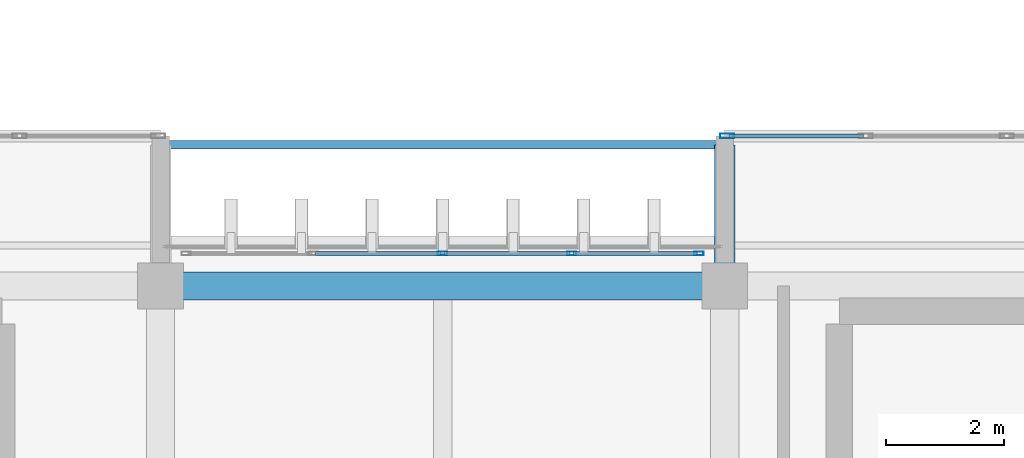
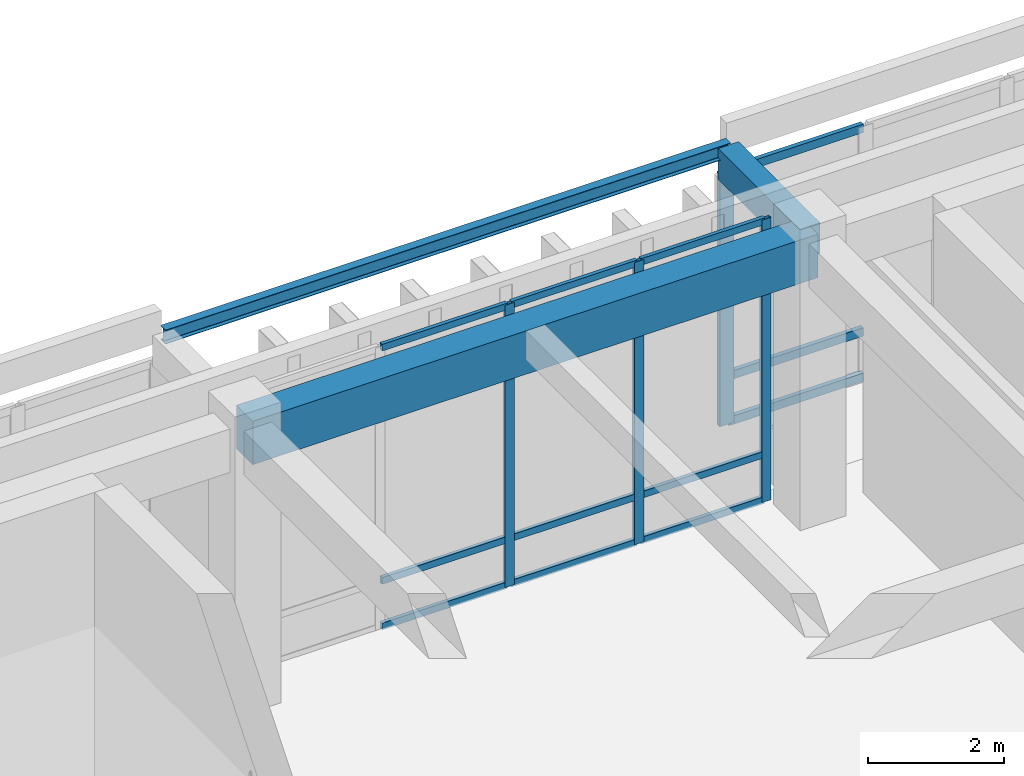
# One storey, part 76 of 134: 16 members, 3 beams, 2 elements without a shape of their own.
"""IFC4 building model written with IfcOpenShell, lengths in metres."""

import ifcopenshell
import ifcopenshell.guid

model = None  # the IFC model being written
_history = None  # IfcOwnerHistory: only IFC2X3 demands one
_inside = {}  # id of a spatial element -> (the spatial element, [elements in it])
_under = {}  # id of a project, library or spatial element -> (it, [spatial elements below it])
_declared = {}  # id of a project -> (the project, [libraries it declares])
_typed = {}  # id of a type object -> (the type object, [elements of that type])
_made_of = {}  # id of a material, layer set ... -> (it, [elements and type objects made of it])


def new_model(schema):
    """Start an empty IFC model of exactly this schema.

    Asked for "IFC4X3", IfcOpenShell would pick the latest addendum, in which some entities
    have other attributes; the version numbers below select the first issue.
    IFC2X3 requires an IfcOwnerHistory on every rooted entity: one is made here for all.
    """
    global model, _history
    if schema == "IFC4X3":
        model = ifcopenshell.file(schema_version=(4, 3, 0, 0))
    else:
        model = ifcopenshell.file(schema=schema)
    _inside.clear()
    _under.clear()
    _declared.clear()
    _typed.clear()
    _made_of.clear()
    _history = None
    if model.schema == "IFC2X3":
        org = make("IfcOrganization", Name="unknown")
        user = make(
            "IfcPersonAndOrganization",
            ThePerson=make("IfcPerson", FamilyName="unknown"),
            TheOrganization=org,
        )
        app = make(
            "IfcApplication",
            ApplicationDeveloper=org,
            Version="unknown",
            ApplicationFullName="unknown",
            ApplicationIdentifier="unknown",
        )
        _history = make(
            "IfcOwnerHistory",
            OwningUser=user,
            OwningApplication=app,
            ChangeAction="ADDED",
            CreationDate=0,
        )
    return model


def make(cls, **values):
    """One entity of the class cls with the attributes given. An attribute that is None is left unset."""
    return model.create_entity(
        cls, **{name: value for name, value in values.items() if value is not None}
    )


def rooted(cls, **values):
    """An entity with a GlobalId (a new one), such as an element, a storey or a relation."""
    return make(cls, GlobalId=ifcopenshell.guid.new(), OwnerHistory=_history, **values)


def si_unit(unit_type, name, prefix=None):
    """IfcSIUnit, for example si_unit("LENGTHUNIT", "METRE", prefix="MILLI")."""
    return make("IfcSIUnit", UnitType=unit_type, Prefix=prefix, Name=name)


def assignment(units):
    """IfcUnitAssignment: the units of a project."""
    return None if units is None else make("IfcUnitAssignment", Units=units)


def point(xyz):
    """IfcCartesianPoint."""
    return None if xyz is None else make("IfcCartesianPoint", Coordinates=xyz)


def direction(xyz):
    """IfcDirection."""
    return None if xyz is None else make("IfcDirection", DirectionRatios=xyz)


def frame(location, z_axis=None, x_axis=None):
    """IfcAxis2Placement3D, a coordinate frame: its origin and axes. An axis left out is left unset."""
    return make(
        "IfcAxis2Placement3D",
        Location=point(location),
        Axis=direction(z_axis),
        RefDirection=direction(x_axis),
    )


def frame_2d(location, x_axis=None):
    """IfcAxis2Placement2D, a coordinate frame in the plane: its origin and x axis."""
    return make(
        "IfcAxis2Placement2D", Location=point(location), RefDirection=direction(x_axis)
    )


def origin():
    """The frame at (0, 0, 0) with its axes left unset."""
    return frame((0.0, 0.0, 0.0))


def origin_2d():
    """The frame at (0, 0) in the plane with its x axis left unset."""
    return frame_2d((0.0, 0.0))


def place(relative_to, where):
    """IfcLocalPlacement: puts the frame where relative to a parent placement (None: the world)."""
    return make(
        "IfcLocalPlacement", PlacementRelTo=relative_to, RelativePlacement=where
    )


def context(
    kind, dimensions, precision=None, world=None, true_north=None, identifier=None
):
    """IfcGeometricRepresentationContext, for example the 3D "Model" context."""
    return make(
        "IfcGeometricRepresentationContext",
        ContextIdentifier=identifier,
        ContextType=kind,
        CoordinateSpaceDimension=dimensions,
        Precision=precision,
        WorldCoordinateSystem=world,
        TrueNorth=true_north,
    )


def subcontext(parent, identifier, kind, view, scale=None):
    """IfcGeometricRepresentationSubContext, for example "Body" below "Model"."""
    return make(
        "IfcGeometricRepresentationSubContext",
        ContextIdentifier=identifier,
        ContextType=kind,
        ParentContext=parent,
        TargetScale=scale,
        TargetView=view,
    )


def project(units=None, contexts=None):
    """IfcProject with its units and contexts."""
    return rooted(
        "IfcProject",
        Name="project",
        RepresentationContexts=contexts,
        UnitsInContext=assignment(units),
    )


def spatial(cls, under=None, at=None, **own):
    """A site, building, storey or space (cls), placed at a placement, below another one or the project."""
    s = rooted(cls, ObjectPlacement=at, **own)
    if under is not None:
        _under.setdefault(under.id(), (under, []))[1].append(s)
    return s


def profile(cls, at=None, kind="AREA", **sizes):
    """A parametric profile (cls). Its sizes go by their IFC names, for example OverallWidth=200.0."""
    return make(cls, ProfileType=kind, Position=at, **sizes)


def rectangle(**sizes):
    """IfcRectangleProfileDef."""
    return profile("IfcRectangleProfileDef", **sizes)


def hollow_rectangle(**sizes):
    """IfcRectangleHollowProfileDef."""
    return profile("IfcRectangleHollowProfileDef", **sizes)


def i_section(**sizes):
    """IfcIShapeProfileDef."""
    return profile("IfcIShapeProfileDef", **sizes)


def extrude(swept, where, along, depth):
    """IfcExtrudedAreaSolid: the profile swept, set in the frame where, extruded along a direction by depth."""
    return make(
        "IfcExtrudedAreaSolid",
        SweptArea=swept,
        Position=where,
        ExtrudedDirection=direction(along),
        Depth=depth,
    )


def shape(context_of_items, identifier, shape_type, items):
    """IfcShapeRepresentation: the items that make up one representation, for example the "Body"."""
    return make(
        "IfcShapeRepresentation",
        ContextOfItems=context_of_items,
        RepresentationIdentifier=identifier,
        RepresentationType=shape_type,
        Items=items,
    )


def material(Name=None, Category=None):
    """IfcMaterial."""
    return make("IfcMaterial", Name=Name, Category=Category)


def layer(
    of_material, thickness, ventilated=None, Name=None, Category=None, Priority=None
):
    """IfcMaterialLayer: one layer of a wall or slab, of a material (None: an air gap)."""
    return make(
        "IfcMaterialLayer",
        Material=of_material,
        LayerThickness=thickness,
        IsVentilated=ventilated,
        Name=Name,
        Category=Category,
        Priority=Priority,
    )


def layer_set(layers, Name=None):
    """IfcMaterialLayerSet."""
    return make("IfcMaterialLayerSet", MaterialLayers=layers, LayerSetName=Name)


def material_profile(
    of_material, cross_section, Name=None, Category=None, Priority=None
):
    """IfcMaterialProfile: a cross section and its material."""
    return make(
        "IfcMaterialProfile",
        Name=Name,
        Material=of_material,
        Profile=cross_section,
        Priority=Priority,
        Category=Category,
    )


def profile_set(profiles, Name=None, composite=None):
    """IfcMaterialProfileSet."""
    return make(
        "IfcMaterialProfileSet",
        Name=Name,
        MaterialProfiles=profiles,
        CompositeProfile=composite,
    )


def made_of(thing, what):
    """Note that an element or type object is made of a material, layer set ...; save() writes the relation."""
    if what is not None:
        _made_of.setdefault(what.id(), (what, []))[1].append(thing)
    return thing


def type_object(cls, material=None, **own):
    """A type object (cls), such as IfcWallType, which elements share."""
    return made_of(rooted(cls, **own), material)


def element(
    cls,
    number,
    at=None,
    inside=None,
    cuts=None,
    type_object=None,
    material=None,
    context=None,
    identifier="Body",
    shape_type=None,
    held_by="IfcProductDefinitionShape",
    body=None,
    shapes=None,
    **own,
):
    """One element of the class cls, such as IfcWall. Its Tag is "e" and its number.

    at: its placement. inside: the storey or other place that contains it. cuts: it is an
    opening in that element (IfcRelVoidsElement). A single representation is given by context,
    identifier, shape_type and body (its items); several are given by shapes. held_by: the class
    of the entity that holds the representations. save() writes the other relations.
    """
    e = rooted(cls, Tag="e%d" % number, ObjectPlacement=at, **own)
    if body is not None:
        shapes = [shape(context, identifier, shape_type, body)]
    if shapes is not None:
        e.Representation = make(held_by, Representations=shapes)
    if inside is not None:
        _inside.setdefault(inside.id(), (inside, []))[1].append(e)
    if cuts is not None:
        rooted(
            "IfcRelVoidsElement", RelatingBuildingElement=cuts, RelatedOpeningElement=e
        )
    if type_object is not None:
        _typed.setdefault(type_object.id(), (type_object, []))[1].append(e)
    return made_of(e, material)


def aggregate(whole, parts):
    """IfcRelAggregates: a whole, such as a stair, and the parts it consists of."""
    return rooted("IfcRelAggregates", RelatingObject=whole, RelatedObjects=parts)


def save(model, path):
    """Write the relations noted so far, then the file.

    IfcRelAggregates (storeys below a building ...), IfcRelContainedInSpatialStructure (elements
    in a storey), IfcRelDefinesByType, IfcRelAssociatesMaterial and IfcRelDeclares: one each for
    every whole, place, type object, material and project.
    """
    for whole, parts in _under.values():
        aggregate(whole, parts)
    for where, things in _inside.values():
        rooted(
            "IfcRelContainedInSpatialStructure",
            RelatedElements=things,
            RelatingStructure=where,
        )
    for kind, things in _typed.values():
        rooted("IfcRelDefinesByType", RelatedObjects=things, RelatingType=kind)
    for what, things in _made_of.values():
        rooted("IfcRelAssociatesMaterial", RelatedObjects=things, RelatingMaterial=what)
    for by, libraries in _declared.values():
        rooted("IfcRelDeclares", RelatingContext=by, RelatedDefinitions=libraries)
    model.write(path)


model = new_model("IFC4")

# Units and contexts
model_context = context("Model", 3, precision=1e-05, world=origin(), true_north=direction((0.0, 1.0)))
body_context = subcontext(model_context, "Body", "Model", "MODEL_VIEW")
ifc_project = project(units=[si_unit("LENGTHUNIT", "METRE"), si_unit("AREAUNIT", "SQUARE_METRE"), si_unit("VOLUMEUNIT", "CUBIC_METRE"), si_unit("PLANEANGLEUNIT", "RADIAN"), si_unit("MASSUNIT", "GRAM", prefix="KILO")], contexts=[model_context])

# Site, building, storey
site_placement = place(None, origin())
site = spatial("IfcSite", under=ifc_project, at=site_placement, CompositionType="ELEMENT")
building_placement = place(site_placement, origin())
building = spatial("IfcBuilding", under=site, at=building_placement, Name="Nakhvara Creek Congress Hotel", CompositionType="ELEMENT")
storey_placement = place(building_placement, frame((0.0, 0.0, 6.0)))
storey = spatial("IfcBuildingStorey", under=building, at=storey_placement, Name="L01", CompositionType="ELEMENT", Elevation=6.0)

# Beams
ifc_material_1 = material(Name="Concrete C40/50", Category="concrete")
ifc_material_profile_1 = material_profile(ifc_material_1, rectangle(XDim=0.35009765625, YDim=0.550048828125, at=origin_2d()), Name="RC-BM 350x550", Category="LoadBearing")
ifc_profile_set_1 = profile_set([ifc_material_profile_1], Name="Concrete C40/50")
beam_type_1 = type_object("IfcBeamType", Name="BM-CANT-BOX", PredefinedType="BEAM", material=ifc_profile_set_1)
beam_1_placement = place(storey_placement, frame((134.39990234375, 95.25, 4.824951171875), z_axis=(0.0, 1.0, 0.0), x_axis=(-1.0, 0.0, 0.0)))
element("IfcBeam", 1, at=beam_1_placement, inside=storey, type_object=beam_type_1, Name="Foyer Box Outrigger Beam PBOX-L02-N3-134", PredefinedType="BEAM", context=body_context, shape_type="SweptSolid", body=[
    extrude(rectangle(XDim=0.35009765625, YDim=0.550048828125, at=origin_2d()), origin(), (0.0, 0.0, 1.0), 2.39990234375),
])
ifc_material_profile_2 = material_profile(ifc_material_1, rectangle(XDim=0.47998046875, YDim=0.780029296875, at=origin_2d()), Name="RC-BM 480x780", Category="LoadBearing")
ifc_profile_set_2 = profile_set([ifc_material_profile_2], Name="Concrete C40/50")
beam_type_2 = type_object("IfcBeamType", Name="BM-RC-480X780", PredefinedType="BEAM", material=ifc_profile_set_2)
beam_2_placement = place(storey_placement, frame((124.800048828125, 95.25, 4.7099609375), z_axis=(1.0, 0.0, 0.0), x_axis=(0.0, 1.0, 0.0)))
element("IfcBeam", 2, at=beam_2_placement, inside=storey, type_object=beam_type_2, Name="Beam B13-L01-1237", PredefinedType="BEAM", context=body_context, shape_type="SweptSolid", body=[
    extrude(rectangle(XDim=0.47998046875, YDim=0.780029296875, at=origin_2d()), origin(), (0.0, 0.0, 1.0), 9.599853515625),
])
ifc_material_2 = material(Name="Steel S355J2", Category="steel")
ifc_material_profile_3 = material_profile(ifc_material_2, i_section(OverallWidth=0.14599609375, OverallDepth=0.25146484375, WebThickness=0.006103515625, FlangeThickness=0.008544921875, FilletRadius=0.007568359375, at=origin_2d()), Name="UB 254x146x31", Category="LoadBearing")
ifc_profile_set_3 = profile_set([ifc_material_profile_3], Name="Steel S355J2")
beam_type_3 = type_object("IfcBeamType", Name="BM-ST-UB254", PredefinedType="SPANDREL", material=ifc_profile_set_3)
beam_3_placement = place(storey_placement, frame((124.800048828125, 97.64990234375, 5.05419921875), z_axis=(1.0, 0.0, 0.0), x_axis=(0.0, 1.0, 0.0)))
element("IfcBeam", 3, at=beam_3_placement, inside=storey, type_object=beam_type_3, Name="Foyer Box Edge Spandrel PBOX-L02-N3", PredefinedType="SPANDREL", context=body_context, shape_type="SweptSolid", body=[
    extrude(i_section(OverallWidth=0.14599609375, OverallDepth=0.25146484375, WebThickness=0.006103515625, FlangeThickness=0.008544921875, FilletRadius=0.007568359375, at=origin_2d()), origin(), (0.0, 0.0, 1.0), 9.599853515625),
])

# Curtain wall, members
ifc_material_3 = material(Name="Bronze-anodised aluminium AW-6063-T6 and double-silver low-E glass", Category="aluminium")
ifc_layer_1 = layer(ifc_material_3, 0.199951171875)
ifc_layer_set_1 = layer_set([ifc_layer_1], Name="Bronze-anodised aluminium AW-6063-T6 and double-silver low-E glass")
curtain_wall_type_1 = type_object("IfcCurtainWallType", Name="CW-POD-STICK", PredefinedType="NOTDEFINED", material=ifc_layer_set_1)
curtain_wall_1_placement = place(storey_placement, origin())
curtain_wall_1 = element("IfcCurtainWall", 4, at=curtain_wall_1_placement, inside=storey, type_object=curtain_wall_type_1, Name="Curtain Wall CW072", PredefinedType="NOTDEFINED")
ifc_material_4 = material(Name="Bronze-anodised aluminium AW-6063-T6", Category="aluminium")
ifc_material_profile_4 = material_profile(ifc_material_4, hollow_rectangle(XDim=0.06494140625, YDim=0.159912109375, WallThickness=0.00390625, at=origin_2d()), Name="ALU-MULL 65x160x4", Category="LoadBearing")
ifc_profile_set_4 = profile_set([ifc_material_profile_4], Name="Bronze-anodised aluminium AW-6063-T6")
member_type_1 = type_object("IfcMemberType", Name="CW-MULL-160", PredefinedType="MULLION", material=ifc_profile_set_4)
member_1_placement = place(storey_placement, frame((129.60009765625, 95.800048828125, 0.0), z_axis=(0.0, 0.0, 1.0), x_axis=(0.0, 1.0, 0.0)))
member_1 = element("IfcMember", 5, at=member_1_placement, type_object=member_type_1, Name="CW072 mullion 3", PredefinedType="MULLION", context=body_context, shape_type="SweptSolid", body=[
    extrude(hollow_rectangle(XDim=0.06494140625, YDim=0.159912109375, WallThickness=0.00390625, at=origin_2d()), origin(), (0.0, 0.0, 1.0), 5.070068359375),
])
member_2_placement = place(storey_placement, frame((131.797607421875, 95.800048828125, 0.0), z_axis=(0.0, 0.0, 1.0), x_axis=(0.0, 1.0, 0.0)))
member_2 = element("IfcMember", 6, at=member_2_placement, type_object=member_type_1, Name="CW072 mullion 4", PredefinedType="MULLION", context=body_context, shape_type="SweptSolid", body=[
    extrude(hollow_rectangle(XDim=0.06494140625, YDim=0.159912109375, WallThickness=0.00390625, at=origin_2d()), origin(), (0.0, 0.0, 1.0), 5.070068359375),
])
member_3_placement = place(storey_placement, frame((133.96240234375, 95.800048828125, 0.0), z_axis=(0.0, 0.0, 1.0), x_axis=(0.0, 1.0, 0.0)))
member_3 = element("IfcMember", 7, at=member_3_placement, type_object=member_type_1, Name="CW072 mullion 5", PredefinedType="MULLION", context=body_context, shape_type="SweptSolid", body=[
    extrude(hollow_rectangle(XDim=0.06494140625, YDim=0.159912109375, WallThickness=0.00390625, at=origin_2d()), origin(), (0.0, 0.0, 1.0), 5.070068359375),
])

# Curtain wall, member
ifc_layer_2 = layer(ifc_material_3, 0.219970703125)
ifc_layer_set_2 = layer_set([ifc_layer_2], Name="Bronze-anodised aluminium AW-6063-T6 and double-silver low-E glass")
curtain_wall_type_2 = type_object("IfcCurtainWallType", Name="CW-BOX-PROJ", PredefinedType="USERDEFINED", material=ifc_layer_set_2)
curtain_wall_2_placement = place(storey_placement, origin())
curtain_wall_2 = element("IfcCurtainWall", 8, at=curtain_wall_2_placement, inside=storey, type_object=curtain_wall_type_2, Name="Curtain Wall CW067", ObjectType="UNITISED", PredefinedType="USERDEFINED")
ifc_material_profile_5 = material_profile(ifc_material_4, hollow_rectangle(XDim=0.080078125, YDim=0.239990234375, WallThickness=0.0048828125, at=origin_2d()), Name="ALU-MULL 80x240x5", Category="LoadBearing")
ifc_profile_set_5 = profile_set([ifc_material_profile_5], Name="Bronze-anodised aluminium AW-6063-T6")
member_type_2 = type_object("IfcMemberType", Name="CW-MULL-240", PredefinedType="MULLION", material=ifc_profile_set_5)
member_4_placement = place(storey_placement, frame((134.43994140625, 97.800048828125, 0.0), z_axis=(0.0, 0.0, 1.0), x_axis=(0.0, 1.0, 0.0)))
member_4 = element("IfcMember", 9, at=member_4_placement, type_object=member_type_2, Name="CW067 mullion 1", PredefinedType="MULLION", context=body_context, shape_type="SweptSolid", body=[
    extrude(hollow_rectangle(XDim=0.080078125, YDim=0.239990234375, WallThickness=0.0048828125, at=origin_2d()), origin(), (0.0, 0.0, 1.0), 4.5419921875),
])

# Member
ifc_material_profile_6 = material_profile(ifc_material_4, hollow_rectangle(XDim=0.06494140625, YDim=0.1201171875, WallThickness=0.00390625, at=origin_2d()), Name="ALU-TRAN 65x120x4", Category="LoadBearing")
ifc_profile_set_6 = profile_set([ifc_material_profile_6], Name="Bronze-anodised aluminium AW-6063-T6")
member_type_3 = type_object("IfcMemberType", Name="CW-TRAN-120", PredefinedType="USERDEFINED", material=ifc_profile_set_6)
member_5_placement = place(storey_placement, frame((127.43505859375, 95.800048828125, 0.032470703125), z_axis=(1.0, 0.0, 0.0), x_axis=(0.0, 1.0, 0.0)))
member_5 = element("IfcMember", 10, at=member_5_placement, type_object=member_type_3, Name="CW072 transom 2.1", ObjectType="TRANSOM", PredefinedType="USERDEFINED", context=body_context, shape_type="SweptSolid", body=[
    extrude(hollow_rectangle(XDim=0.06494140625, YDim=0.1201171875, WallThickness=0.00390625, at=origin_2d()), origin(), (0.0, 0.0, 1.0), 2.13232421875),
])

member_6_placement = place(storey_placement, frame((127.43505859375, 95.800048828125, 0.85009765625), z_axis=(1.0, 0.0, 0.0), x_axis=(0.0, 1.0, 0.0)))
member_6 = element("IfcMember", 11, at=member_6_placement, type_object=member_type_3, Name="CW072 transom 2.2", ObjectType="TRANSOM", PredefinedType="USERDEFINED", context=body_context, shape_type="SweptSolid", body=[
    extrude(hollow_rectangle(XDim=0.06494140625, YDim=0.1201171875, WallThickness=0.00390625, at=origin_2d()), origin(), (0.0, 0.0, 1.0), 2.13232421875),
])

member_7_placement = place(storey_placement, frame((127.43505859375, 95.800048828125, 5.03759765625), z_axis=(1.0, 0.0, 0.0), x_axis=(0.0, 1.0, 0.0)))
member_7 = element("IfcMember", 12, at=member_7_placement, type_object=member_type_3, Name="CW072 transom 2.3", ObjectType="TRANSOM", PredefinedType="USERDEFINED", context=body_context, shape_type="SweptSolid", body=[
    extrude(hollow_rectangle(XDim=0.06494140625, YDim=0.1201171875, WallThickness=0.00390625, at=origin_2d()), origin(), (0.0, 0.0, 1.0), 2.13232421875),
])

member_8_placement = place(storey_placement, frame((129.632568359375, 95.800048828125, 0.032470703125), z_axis=(1.0, 0.0, 0.0), x_axis=(0.0, 1.0, 0.0)))
member_8 = element("IfcMember", 13, at=member_8_placement, type_object=member_type_3, Name="CW072 transom 3.1", ObjectType="TRANSOM", PredefinedType="USERDEFINED", context=body_context, shape_type="SweptSolid", body=[
    extrude(hollow_rectangle(XDim=0.06494140625, YDim=0.1201171875, WallThickness=0.00390625, at=origin_2d()), origin(), (0.0, 0.0, 1.0), 2.13232421875),
])

member_9_placement = place(storey_placement, frame((129.632568359375, 95.800048828125, 0.85009765625), z_axis=(1.0, 0.0, 0.0), x_axis=(0.0, 1.0, 0.0)))
member_9 = element("IfcMember", 14, at=member_9_placement, type_object=member_type_3, Name="CW072 transom 3.2", ObjectType="TRANSOM", PredefinedType="USERDEFINED", context=body_context, shape_type="SweptSolid", body=[
    extrude(hollow_rectangle(XDim=0.06494140625, YDim=0.1201171875, WallThickness=0.00390625, at=origin_2d()), origin(), (0.0, 0.0, 1.0), 2.13232421875),
])

member_10_placement = place(storey_placement, frame((129.632568359375, 95.800048828125, 5.03759765625), z_axis=(1.0, 0.0, 0.0), x_axis=(0.0, 1.0, 0.0)))
member_10 = element("IfcMember", 15, at=member_10_placement, type_object=member_type_3, Name="CW072 transom 3.3", ObjectType="TRANSOM", PredefinedType="USERDEFINED", context=body_context, shape_type="SweptSolid", body=[
    extrude(hollow_rectangle(XDim=0.06494140625, YDim=0.1201171875, WallThickness=0.00390625, at=origin_2d()), origin(), (0.0, 0.0, 1.0), 2.13232421875),
])

member_11_placement = place(storey_placement, frame((131.830078125, 95.800048828125, 0.032470703125), z_axis=(1.0, 0.0, 0.0), x_axis=(0.0, 1.0, 0.0)))
member_11 = element("IfcMember", 16, at=member_11_placement, type_object=member_type_3, Name="CW072 transom 4.1", ObjectType="TRANSOM", PredefinedType="USERDEFINED", context=body_context, shape_type="SweptSolid", body=[
    extrude(hollow_rectangle(XDim=0.06494140625, YDim=0.1201171875, WallThickness=0.00390625, at=origin_2d()), origin(), (0.0, 0.0, 1.0), 2.099853515625),
])

member_12_placement = place(storey_placement, frame((131.830078125, 95.800048828125, 0.85009765625), z_axis=(1.0, 0.0, 0.0), x_axis=(0.0, 1.0, 0.0)))
member_12 = element("IfcMember", 17, at=member_12_placement, type_object=member_type_3, Name="CW072 transom 4.2", ObjectType="TRANSOM", PredefinedType="USERDEFINED", context=body_context, shape_type="SweptSolid", body=[
    extrude(hollow_rectangle(XDim=0.06494140625, YDim=0.1201171875, WallThickness=0.00390625, at=origin_2d()), origin(), (0.0, 0.0, 1.0), 2.099853515625),
])

member_13_placement = place(storey_placement, frame((131.830078125, 95.800048828125, 5.03759765625), z_axis=(1.0, 0.0, 0.0), x_axis=(0.0, 1.0, 0.0)))
member_13 = element("IfcMember", 18, at=member_13_placement, type_object=member_type_3, Name="CW072 transom 4.3", ObjectType="TRANSOM", PredefinedType="USERDEFINED", context=body_context, shape_type="SweptSolid", body=[
    extrude(hollow_rectangle(XDim=0.06494140625, YDim=0.1201171875, WallThickness=0.00390625, at=origin_2d()), origin(), (0.0, 0.0, 1.0), 2.099853515625),
])

aggregate(curtain_wall_1, [member_1, member_2, member_3, member_5, member_6, member_7, member_8, member_9, member_10, member_11, member_12, member_13])

ifc_material_profile_7 = material_profile(ifc_material_4, hollow_rectangle(XDim=0.074951171875, YDim=0.14990234375, WallThickness=0.00390625, at=origin_2d()), Name="ALU-TRAN 75x150x4", Category="LoadBearing")
ifc_profile_set_7 = profile_set([ifc_material_profile_7], Name="Bronze-anodised aluminium AW-6063-T6")
member_type_4 = type_object("IfcMemberType", Name="CW-TRAN-150", PredefinedType="USERDEFINED", material=ifc_profile_set_7)
member_14_placement = place(storey_placement, frame((134.47998046875, 97.800048828125, 0.03759765625), z_axis=(1.0, 0.0, 0.0), x_axis=(0.0, 1.0, 0.0)))
member_14 = element("IfcMember", 19, at=member_14_placement, type_object=member_type_4, Name="CW067 transom 1.1", ObjectType="TRANSOM", PredefinedType="USERDEFINED", context=body_context, shape_type="SweptSolid", body=[
    extrude(hollow_rectangle(XDim=0.074951171875, YDim=0.14990234375, WallThickness=0.00390625, at=origin_2d()), origin(), (0.0, 0.0, 1.0), 2.280029296875),
])

member_15_placement = place(storey_placement, frame((134.47998046875, 97.800048828125, 0.85009765625), z_axis=(1.0, 0.0, 0.0), x_axis=(0.0, 1.0, 0.0)))
member_15 = element("IfcMember", 20, at=member_15_placement, type_object=member_type_4, Name="CW067 transom 1.2", ObjectType="TRANSOM", PredefinedType="USERDEFINED", context=body_context, shape_type="SweptSolid", body=[
    extrude(hollow_rectangle(XDim=0.074951171875, YDim=0.14990234375, WallThickness=0.00390625, at=origin_2d()), origin(), (0.0, 0.0, 1.0), 2.280029296875),
])

member_16_placement = place(storey_placement, frame((134.47998046875, 97.800048828125, 4.50439453125), z_axis=(1.0, 0.0, 0.0), x_axis=(0.0, 1.0, 0.0)))
member_16 = element("IfcMember", 21, at=member_16_placement, type_object=member_type_4, Name="CW067 transom 1.3", ObjectType="TRANSOM", PredefinedType="USERDEFINED", context=body_context, shape_type="SweptSolid", body=[
    extrude(hollow_rectangle(XDim=0.074951171875, YDim=0.14990234375, WallThickness=0.00390625, at=origin_2d()), origin(), (0.0, 0.0, 1.0), 2.280029296875),
])

aggregate(curtain_wall_2, [member_4, member_14, member_15, member_16])

save(model, "model.ifc")
